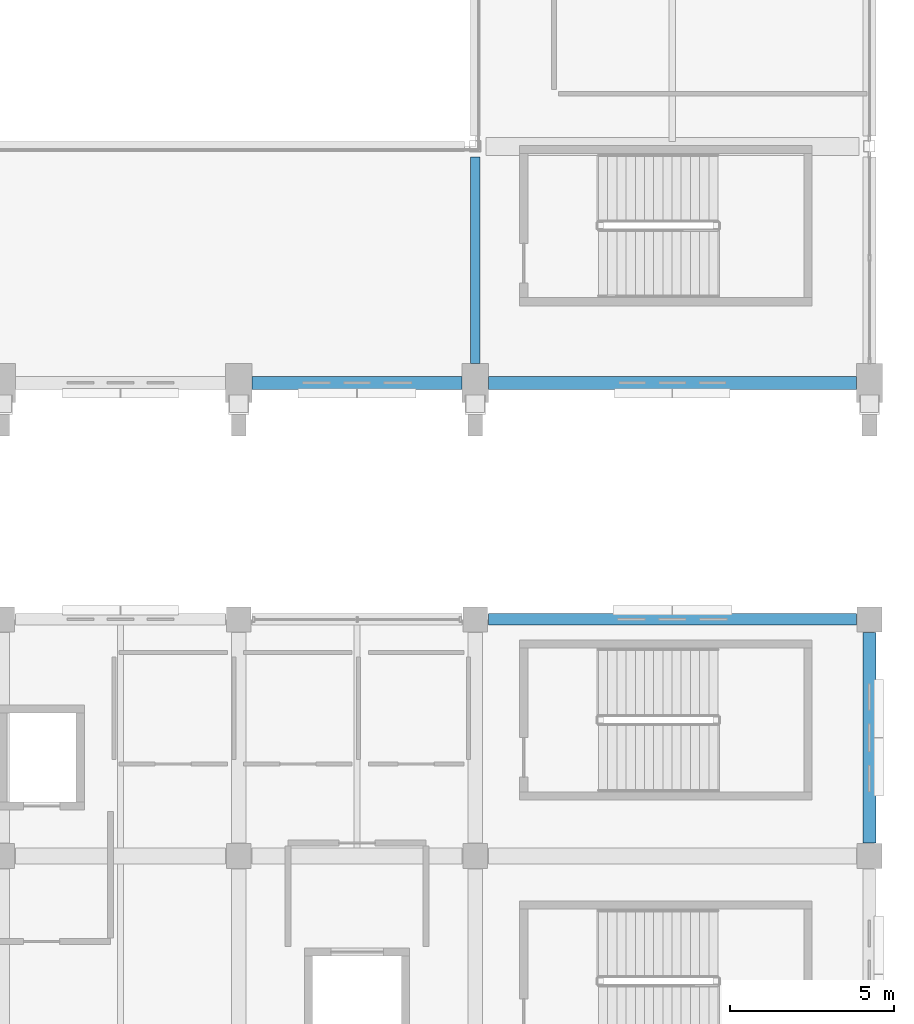
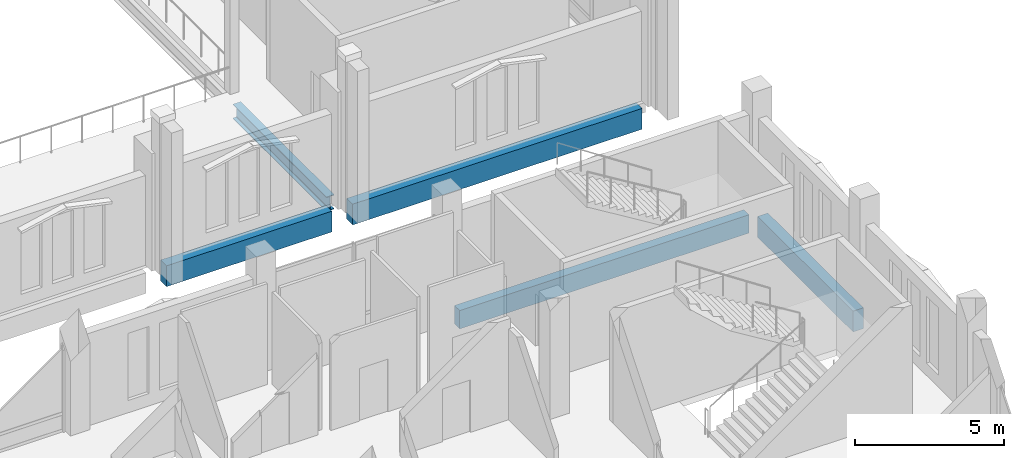
# One storey, part 78 of 193: 5 beams.
"""IFC4 building model written with IfcOpenShell, lengths in metres."""

from ifc_helpers import new_model, si_unit, direction, frame, origin, origin_2d, place, context, subcontext, project, spatial, rectangle, i_section, extrude, material, material_profile, profile_set, type_object, element, save


model = new_model("IFC4")

# Units and contexts
model_context = context("Model", 3, precision=1e-05, world=origin(), true_north=direction((0.0, 1.0)))
body_context = subcontext(model_context, "Body", "Model", "MODEL_VIEW")
ifc_project = project(units=[si_unit("LENGTHUNIT", "METRE"), si_unit("AREAUNIT", "SQUARE_METRE"), si_unit("VOLUMEUNIT", "CUBIC_METRE"), si_unit("PLANEANGLEUNIT", "RADIAN"), si_unit("MASSUNIT", "GRAM", prefix="KILO")], contexts=[model_context])

# Site, building, storey
site_placement = place(None, origin())
site = spatial("IfcSite", under=ifc_project, at=site_placement, CompositionType="ELEMENT")
building_placement = place(site_placement, origin())
building = spatial("IfcBuilding", under=site, at=building_placement, Name="Cendralis Lancet Convention Centre", CompositionType="ELEMENT")
storey_placement = place(building_placement, frame((0.0, 0.0, 10.199951171875)))
storey = spatial("IfcBuildingStorey", under=building, at=storey_placement, Name="L02", CompositionType="ELEMENT", Elevation=10.199951171875)

# Beams
ifc_material_1 = material(Name="Steel S355", Category="steel")
ifc_material_profile_1 = material_profile(ifc_material_1, i_section(OverallWidth=0.300048828125, OverallDepth=0.590087890625, WebThickness=0.012939453125, FlangeThickness=0.02490234375, FilletRadius=0.027099609375, at=origin_2d()), Name="HEA 600")
ifc_profile_set_1 = profile_set([ifc_material_profile_1], Name="Steel S355")
beam_type_1 = type_object("IfcBeamType", Name="STR-BM-SG10", PredefinedType="BEAM", material=ifc_profile_set_1)
beam_1_placement = place(storey_placement, frame((196.800048828125, 43.800048828125, -0.594970703125), z_axis=(0.0, 1.0, 0.0), x_axis=(-1.0, 0.0, 0.0)))
element("IfcBeam", 1, at=beam_1_placement, inside=storey, type_object=beam_type_1, Name="L02 Beam SG10 #1487", PredefinedType="BEAM", context=body_context, shape_type="SweptSolid", body=[
    extrude(i_section(OverallWidth=0.300048828125, OverallDepth=0.590087890625, WebThickness=0.012939453125, FlangeThickness=0.02490234375, FilletRadius=0.027099609375, at=origin_2d()), origin(), (0.0, 0.0, 1.0), 6.27490234375),
])
ifc_material_2 = material(Name="Concrete G40 (C40/50)", Category="concrete")
ifc_material_profile_2 = material_profile(ifc_material_2, rectangle(XDim=0.35009765625, YDim=0.75, at=origin_2d()), Name="RCB 350x750")
ifc_profile_set_2 = profile_set([ifc_material_profile_2], Name="Concrete G40 (C40/50)")
beam_type_2 = type_object("IfcBeamType", Name="STR-SP-SP01", PredefinedType="SPANDREL", material=ifc_profile_set_2)
beam_2_placement = place(storey_placement, frame((197.199951171875, 36.0, -0.675048828125), z_axis=(1.0, 0.0, 0.0), x_axis=(0.0, 1.0, 0.0)))
element("IfcBeam", 2, at=beam_2_placement, inside=storey, type_object=beam_type_2, Name="L02 Beam SP01 #0302", PredefinedType="SPANDREL", context=body_context, shape_type="SweptSolid", body=[
    extrude(rectangle(XDim=0.35009765625, YDim=0.75, at=origin_2d()), origin(), (0.0, 0.0, 1.0), 11.199951171875),
])
ifc_material_profile_3 = material_profile(ifc_material_2, rectangle(XDim=0.39990234375, YDim=0.85009765625, at=origin_2d()), Name="RCB 400x850")
ifc_profile_set_3 = profile_set([ifc_material_profile_3], Name="Concrete G40 (C40/50)")
beam_type_3 = type_object("IfcBeamType", Name="STR-SP-SP02", PredefinedType="SPANDREL", material=ifc_profile_set_3)
beam_3_placement = place(storey_placement, frame((208.800048828125, 29.199951171875, -0.724853515625), z_axis=(0.0, 1.0, 0.0), x_axis=(-1.0, 0.0, 0.0)))
element("IfcBeam", 3, at=beam_3_placement, inside=storey, type_object=beam_type_3, Name="L02 Beam SP02 #0344", PredefinedType="SPANDREL", context=body_context, shape_type="SweptSolid", body=[
    extrude(rectangle(XDim=0.39990234375, YDim=0.85009765625, at=origin_2d()), origin(), (0.0, 0.0, 1.0), 6.400146484375),
])
beam_4_placement = place(storey_placement, frame((190.0, 43.199951171875, -0.724853515625), z_axis=(1.0, 0.0, 0.0), x_axis=(0.0, 1.0, 0.0)))
element("IfcBeam", 4, at=beam_4_placement, inside=storey, type_object=beam_type_3, Name="L02 Beam SP02 #1456", PredefinedType="SPANDREL", context=body_context, shape_type="SweptSolid", body=[
    extrude(rectangle(XDim=0.39990234375, YDim=0.85009765625, at=origin_2d()), origin(), (0.0, 0.0, 1.0), 6.39990234375),
])
beam_5_placement = place(storey_placement, frame((197.199951171875, 43.199951171875, -0.724853515625), z_axis=(1.0, 0.0, 0.0), x_axis=(0.0, 1.0, 0.0)))
element("IfcBeam", 5, at=beam_5_placement, inside=storey, type_object=beam_type_3, Name="L02 Beam SP02 #1457", PredefinedType="SPANDREL", context=body_context, shape_type="SweptSolid", body=[
    extrude(rectangle(XDim=0.39990234375, YDim=0.85009765625, at=origin_2d()), origin(), (0.0, 0.0, 1.0), 11.199951171875),
])

save(model, "model.ifc")
